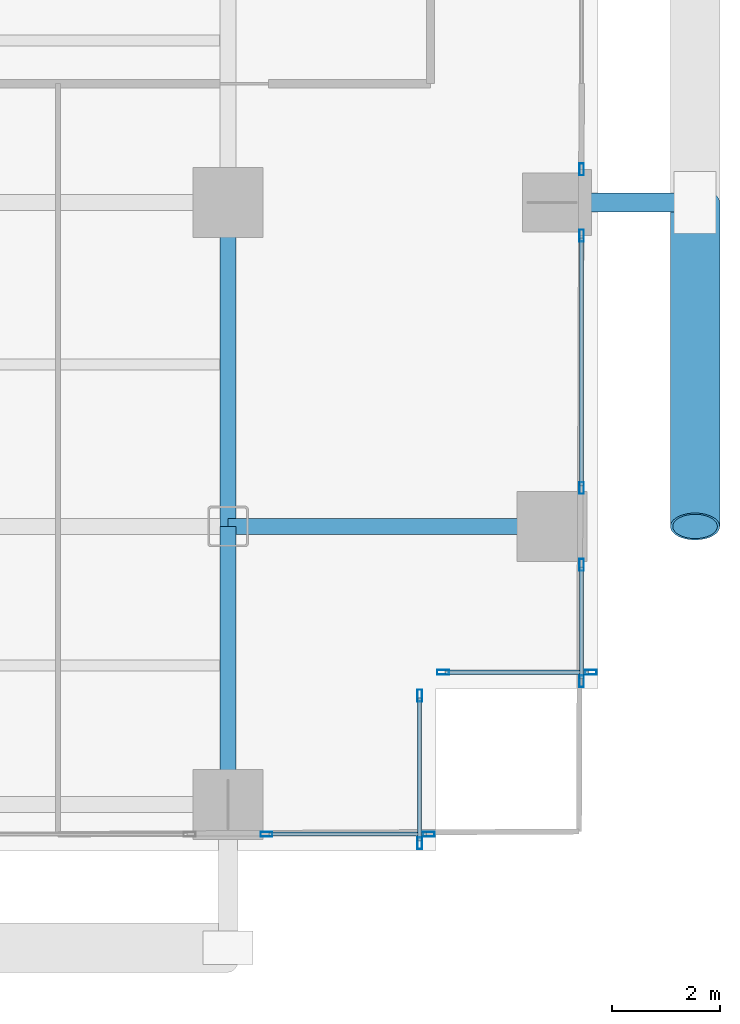
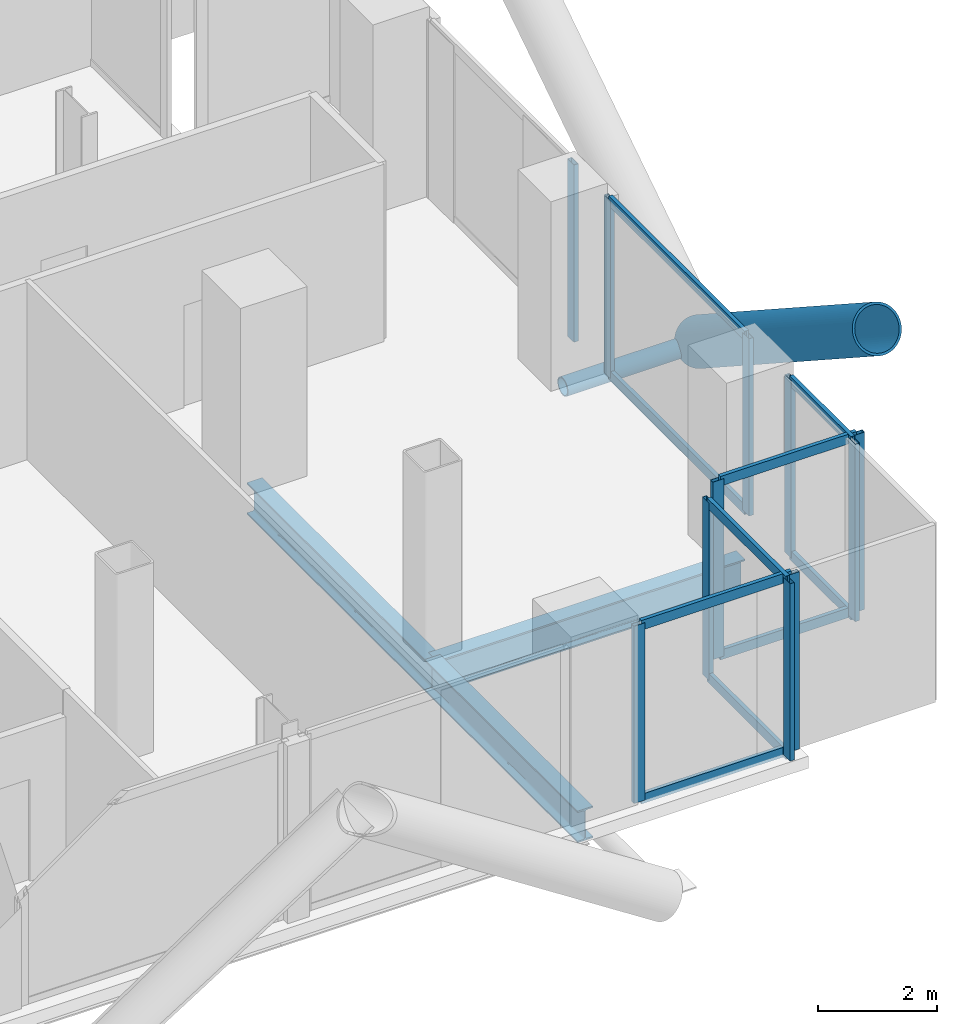
# One storey, part 10 of 25: 23 members, 3 beams, 6 elements without a shape of their own.
"""IFC4 building model written with IfcOpenShell, lengths in metres."""

from ifc_helpers import new_model, si_unit, direction, frame, origin, origin_2d, place, context, subcontext, project, spatial, hollow_rectangle, hollow_circle, i_section, extrude, material, layer, layer_set, material_profile, profile_set, type_object, element, aggregate, save


model = new_model("IFC4")

# Units and contexts
model_context = context("Model", 3, precision=1e-05, world=origin(), true_north=direction((0.0, 1.0)))
body_context = subcontext(model_context, "Body", "Model", "MODEL_VIEW")
ifc_project = project(units=[si_unit("LENGTHUNIT", "METRE"), si_unit("AREAUNIT", "SQUARE_METRE"), si_unit("VOLUMEUNIT", "CUBIC_METRE"), si_unit("PLANEANGLEUNIT", "RADIAN"), si_unit("MASSUNIT", "GRAM", prefix="KILO"), si_unit("THERMODYNAMICTEMPERATUREUNIT", "KELVIN"), si_unit("POWERUNIT", "WATT")], contexts=[model_context])

# Site, building, storey
site_placement = place(None, origin())
site = spatial("IfcSite", under=ifc_project, at=site_placement, CompositionType="ELEMENT")
building_placement = place(site_placement, origin())
building = spatial("IfcBuilding", under=site, at=building_placement, Name="Svarakhadi Broadcast Tower", CompositionType="ELEMENT")
storey_placement = place(building_placement, frame((0.0, 0.0, 36.300048828125)))
storey = spatial("IfcBuildingStorey", under=building, at=storey_placement, Name="L07", CompositionType="ELEMENT", Elevation=36.300048828125)

# Curtain wall, member
ifc_material_1 = material(Name="Anodised Bronze Aluminium AA 6063-T6", Category="aluminium")
ifc_layer = layer(ifc_material_1, 0.219970703125)
ifc_layer_set = layer_set([ifc_layer], Name="Anodised Bronze Aluminium AA 6063-T6")
curtain_wall_type = type_object("IfcCurtainWallType", Name="CW_Sys_02", PredefinedType="NOTDEFINED", material=ifc_layer_set)
curtain_wall_1_placement = place(storey_placement, origin())
curtain_wall_1 = element("IfcCurtainWall", 1, at=curtain_wall_1_placement, inside=storey, type_object=curtain_wall_type, Name="L07 Unitised Facade Curtain Wall 13 Bay 2", PredefinedType="NOTDEFINED")
ifc_material_profile_1 = material_profile(ifc_material_1, hollow_rectangle(XDim=0.0849609375, YDim=0.219970703125, WallThickness=0.006103515625, at=origin_2d()), Name="ALU MULLION 220x85x6")
ifc_profile_set_1 = profile_set([ifc_material_profile_1], Name="Anodised Bronze Aluminium AA 6063-T6")
member_type_1 = type_object("IfcMemberType", Name="CW_Sys_02_Mul", PredefinedType="MULLION", material=ifc_profile_set_1)
member_1_placement = place(storey_placement, frame((53.699951171875, 12.612548828125, 0.0), z_axis=(0.0, 0.0, 1.0), x_axis=(1.0, 0.0, 0.0)))
member_1 = element("IfcMember", 2, at=member_1_placement, type_object=member_type_1, Name="CW-02 mullion 2", PredefinedType="MULLION", context=body_context, shape_type="SweptSolid", body=[
    extrude(hollow_rectangle(XDim=0.0849609375, YDim=0.219970703125, WallThickness=0.006103515625, at=origin_2d()), origin(), (0.0, 0.0, 1.0), 3.64990234375),
])
aggregate(curtain_wall_1, [member_1])

# Curtain wall, members
curtain_wall_2_placement = place(storey_placement, origin())
curtain_wall_2 = element("IfcCurtainWall", 3, at=curtain_wall_2_placement, inside=storey, type_object=curtain_wall_type, Name="L07 Unitised Facade Curtain Wall 13 Bay 3", PredefinedType="NOTDEFINED")
member_2_placement = place(storey_placement, frame((53.699951171875, 11.387451171875, 0.0), z_axis=(0.0, 0.0, 1.0), x_axis=(1.0, 0.0, 0.0)))
member_2 = element("IfcMember", 4, at=member_2_placement, type_object=member_type_1, Name="CW-02 mullion 1", PredefinedType="MULLION", context=body_context, shape_type="SweptSolid", body=[
    extrude(hollow_rectangle(XDim=0.0849609375, YDim=0.219970703125, WallThickness=0.006103515625, at=origin_2d()), origin(), (0.0, 0.0, 1.0), 3.64990234375),
])
member_3_placement = place(storey_placement, frame((53.699951171875, 6.71240234375, 0.0), z_axis=(0.0, 0.0, 1.0), x_axis=(1.0, 0.0, 0.0)))
member_3 = element("IfcMember", 5, at=member_3_placement, type_object=member_type_1, Name="CW-02 mullion 2", PredefinedType="MULLION", context=body_context, shape_type="SweptSolid", body=[
    extrude(hollow_rectangle(XDim=0.0849609375, YDim=0.219970703125, WallThickness=0.006103515625, at=origin_2d()), origin(), (0.0, 0.0, 1.0), 3.64990234375),
])

curtain_wall_3_placement = place(storey_placement, origin())
curtain_wall_3 = element("IfcCurtainWall", 6, at=curtain_wall_3_placement, inside=storey, type_object=curtain_wall_type, Name="L07 Unitised Facade Curtain Wall 13 Bay 4", PredefinedType="NOTDEFINED")
member_4_placement = place(storey_placement, frame((53.699951171875, 5.28759765625, 0.0), z_axis=(0.0, 0.0, 1.0), x_axis=(1.0, 0.0, 0.0)))
member_4 = element("IfcMember", 7, at=member_4_placement, type_object=member_type_1, Name="CW-02 mullion 1", PredefinedType="MULLION", context=body_context, shape_type="SweptSolid", body=[
    extrude(hollow_rectangle(XDim=0.0849609375, YDim=0.219970703125, WallThickness=0.006103515625, at=origin_2d()), origin(), (0.0, 0.0, 1.0), 3.64990234375),
])
member_5_placement = place(storey_placement, frame((53.699951171875, 3.132568359375, 0.0), z_axis=(0.0, 0.0, 1.0), x_axis=(1.0, 0.0, 0.0)))
member_5 = element("IfcMember", 8, at=member_5_placement, type_object=member_type_1, Name="CW-02 mullion 2", PredefinedType="MULLION", context=body_context, shape_type="SweptSolid", body=[
    extrude(hollow_rectangle(XDim=0.0849609375, YDim=0.219970703125, WallThickness=0.006103515625, at=origin_2d()), origin(), (0.0, 0.0, 1.0), 3.64990234375),
])

curtain_wall_4_placement = place(storey_placement, origin())
curtain_wall_4 = element("IfcCurtainWall", 9, at=curtain_wall_4_placement, inside=storey, type_object=curtain_wall_type, Name="L07 Unitised Facade Curtain Wall 14", PredefinedType="NOTDEFINED")
member_6_placement = place(storey_placement, frame((53.867431640625, 3.300048828125, 0.0), z_axis=(0.0, 0.0, 1.0), x_axis=(0.0, -1.0, 0.0)))
member_6 = element("IfcMember", 10, at=member_6_placement, type_object=member_type_1, Name="CW-02 mullion 1", PredefinedType="MULLION", context=body_context, shape_type="SweptSolid", body=[
    extrude(hollow_rectangle(XDim=0.0849609375, YDim=0.219970703125, WallThickness=0.006103515625, at=origin_2d()), origin(), (0.0, 0.0, 1.0), 3.64990234375),
])
member_7_placement = place(storey_placement, frame((51.132568359375, 3.300048828125, 0.0), z_axis=(0.0, 0.0, 1.0), x_axis=(0.0, -1.0, 0.0)))
member_7 = element("IfcMember", 11, at=member_7_placement, type_object=member_type_1, Name="CW-02 mullion 2", PredefinedType="MULLION", context=body_context, shape_type="SweptSolid", body=[
    extrude(hollow_rectangle(XDim=0.0849609375, YDim=0.219970703125, WallThickness=0.006103515625, at=origin_2d()), origin(), (0.0, 0.0, 1.0), 3.64990234375),
])

curtain_wall_5_placement = place(storey_placement, origin())
curtain_wall_5 = element("IfcCurtainWall", 12, at=curtain_wall_5_placement, inside=storey, type_object=curtain_wall_type, Name="L07 Unitised Facade Curtain Wall 15", PredefinedType="NOTDEFINED")
member_8_placement = place(storey_placement, frame((50.699951171875, 2.867431640625, 0.0), z_axis=(0.0, 0.0, 1.0), x_axis=(1.0, 0.0, 0.0)))
member_8 = element("IfcMember", 13, at=member_8_placement, type_object=member_type_1, Name="CW-02 mullion 1", PredefinedType="MULLION", context=body_context, shape_type="SweptSolid", body=[
    extrude(hollow_rectangle(XDim=0.0849609375, YDim=0.219970703125, WallThickness=0.006103515625, at=origin_2d()), origin(), (0.0, 0.0, 1.0), 3.64990234375),
])
member_9_placement = place(storey_placement, frame((50.699951171875, 0.132568359375, 0.0), z_axis=(0.0, 0.0, 1.0), x_axis=(1.0, 0.0, 0.0)))
member_9 = element("IfcMember", 14, at=member_9_placement, type_object=member_type_1, Name="CW-02 mullion 2", PredefinedType="MULLION", context=body_context, shape_type="SweptSolid", body=[
    extrude(hollow_rectangle(XDim=0.0849609375, YDim=0.219970703125, WallThickness=0.006103515625, at=origin_2d()), origin(), (0.0, 0.0, 1.0), 3.64990234375),
])

curtain_wall_6_placement = place(storey_placement, origin())
curtain_wall_6 = element("IfcCurtainWall", 15, at=curtain_wall_6_placement, inside=storey, type_object=curtain_wall_type, Name="L07 South Curtain Wall 16 Bay 1", PredefinedType="NOTDEFINED")
member_10_placement = place(storey_placement, frame((50.867431640625, 0.300048828125, 0.0), z_axis=(0.0, 0.0, 1.0), x_axis=(0.0, -1.0, 0.0)))
member_10 = element("IfcMember", 16, at=member_10_placement, type_object=member_type_1, Name="CW-02 mullion 1", PredefinedType="MULLION", context=body_context, shape_type="SweptSolid", body=[
    extrude(hollow_rectangle(XDim=0.0849609375, YDim=0.219970703125, WallThickness=0.006103515625, at=origin_2d()), origin(), (0.0, 0.0, 1.0), 3.64990234375),
])
member_11_placement = place(storey_placement, frame((47.862548828125, 0.300048828125, 0.0), z_axis=(0.0, 0.0, 1.0), x_axis=(0.0, -1.0, 0.0)))
member_11 = element("IfcMember", 17, at=member_11_placement, type_object=member_type_1, Name="CW-02 mullion 2", PredefinedType="MULLION", context=body_context, shape_type="SweptSolid", body=[
    extrude(hollow_rectangle(XDim=0.0849609375, YDim=0.219970703125, WallThickness=0.006103515625, at=origin_2d()), origin(), (0.0, 0.0, 1.0), 3.64990234375),
])

# Member
ifc_material_profile_2 = material_profile(ifc_material_1, hollow_rectangle(XDim=0.074951171875, YDim=0.199951171875, WallThickness=0.0048828125, at=origin_2d()), Name="ALU TRANSOM 200x75x5")
ifc_profile_set_2 = profile_set([ifc_material_profile_2], Name="Anodised Bronze Aluminium AA 6063-T6")
member_type_2 = type_object("IfcMemberType", Name="CW_Sys_02_Trn", PredefinedType="USERDEFINED", material=ifc_profile_set_2)
member_12_placement = place(storey_placement, frame((53.699951171875, 11.344970703125, 0.037353515625), z_axis=(0.0, -1.0, 0.0), x_axis=(1.0, 0.0, 0.0)))
member_12 = element("IfcMember", 18, at=member_12_placement, type_object=member_type_2, Name="CW-02 transom 1.1", ObjectType="TRANSOM", PredefinedType="USERDEFINED", context=body_context, shape_type="SweptSolid", body=[
    extrude(hollow_rectangle(XDim=0.074951171875, YDim=0.199951171875, WallThickness=0.0048828125, at=origin_2d()), origin(), (0.0, 0.0, 1.0), 4.590087890625),
])

member_13_placement = place(storey_placement, frame((53.699951171875, 11.344970703125, 3.612548828125), z_axis=(0.0, -1.0, 0.0), x_axis=(1.0, 0.0, 0.0)))
member_13 = element("IfcMember", 19, at=member_13_placement, type_object=member_type_2, Name="CW-02 transom 1.2", ObjectType="TRANSOM", PredefinedType="USERDEFINED", context=body_context, shape_type="SweptSolid", body=[
    extrude(hollow_rectangle(XDim=0.074951171875, YDim=0.199951171875, WallThickness=0.0048828125, at=origin_2d()), origin(), (0.0, 0.0, 1.0), 4.590087890625),
])

aggregate(curtain_wall_2, [member_2, member_3, member_12, member_13])

member_14_placement = place(storey_placement, frame((53.699951171875, 5.2451171875, 0.037353515625), z_axis=(0.0, -1.0, 0.0), x_axis=(1.0, 0.0, 0.0)))
member_14 = element("IfcMember", 20, at=member_14_placement, type_object=member_type_2, Name="CW-02 transom 1.1", ObjectType="TRANSOM", PredefinedType="USERDEFINED", context=body_context, shape_type="SweptSolid", body=[
    extrude(hollow_rectangle(XDim=0.074951171875, YDim=0.199951171875, WallThickness=0.0048828125, at=origin_2d()), origin(), (0.0, 0.0, 1.0), 2.070068359375),
])

member_15_placement = place(storey_placement, frame((53.699951171875, 5.2451171875, 3.612548828125), z_axis=(0.0, -1.0, 0.0), x_axis=(1.0, 0.0, 0.0)))
member_15 = element("IfcMember", 21, at=member_15_placement, type_object=member_type_2, Name="CW-02 transom 1.2", ObjectType="TRANSOM", PredefinedType="USERDEFINED", context=body_context, shape_type="SweptSolid", body=[
    extrude(hollow_rectangle(XDim=0.074951171875, YDim=0.199951171875, WallThickness=0.0048828125, at=origin_2d()), origin(), (0.0, 0.0, 1.0), 2.070068359375),
])

aggregate(curtain_wall_3, [member_4, member_5, member_14, member_15])

member_16_placement = place(storey_placement, frame((53.824951171875, 3.300048828125, 0.037353515625), z_axis=(-1.0, 0.0, 0.0), x_axis=(0.0, -1.0, 0.0)))
member_16 = element("IfcMember", 22, at=member_16_placement, type_object=member_type_2, Name="CW-02 transom 1.1", ObjectType="TRANSOM", PredefinedType="USERDEFINED", context=body_context, shape_type="SweptSolid", body=[
    extrude(hollow_rectangle(XDim=0.074951171875, YDim=0.199951171875, WallThickness=0.0048828125, at=origin_2d()), origin(), (0.0, 0.0, 1.0), 2.64990234375),
])

member_17_placement = place(storey_placement, frame((53.824951171875, 3.300048828125, 3.612548828125), z_axis=(-1.0, 0.0, 0.0), x_axis=(0.0, -1.0, 0.0)))
member_17 = element("IfcMember", 23, at=member_17_placement, type_object=member_type_2, Name="CW-02 transom 1.2", ObjectType="TRANSOM", PredefinedType="USERDEFINED", context=body_context, shape_type="SweptSolid", body=[
    extrude(hollow_rectangle(XDim=0.074951171875, YDim=0.199951171875, WallThickness=0.0048828125, at=origin_2d()), origin(), (0.0, 0.0, 1.0), 2.64990234375),
])

aggregate(curtain_wall_4, [member_6, member_7, member_16, member_17])

member_18_placement = place(storey_placement, frame((50.699951171875, 2.824951171875, 0.037353515625), z_axis=(0.0, -1.0, 0.0), x_axis=(1.0, 0.0, 0.0)))
member_18 = element("IfcMember", 24, at=member_18_placement, type_object=member_type_2, Name="CW-02 transom 1.1", ObjectType="TRANSOM", PredefinedType="USERDEFINED", context=body_context, shape_type="SweptSolid", body=[
    extrude(hollow_rectangle(XDim=0.074951171875, YDim=0.199951171875, WallThickness=0.0048828125, at=origin_2d()), origin(), (0.0, 0.0, 1.0), 2.64990234375),
])

member_19_placement = place(storey_placement, frame((50.699951171875, 2.824951171875, 3.612548828125), z_axis=(0.0, -1.0, 0.0), x_axis=(1.0, 0.0, 0.0)))
member_19 = element("IfcMember", 25, at=member_19_placement, type_object=member_type_2, Name="CW-02 transom 1.2", ObjectType="TRANSOM", PredefinedType="USERDEFINED", context=body_context, shape_type="SweptSolid", body=[
    extrude(hollow_rectangle(XDim=0.074951171875, YDim=0.199951171875, WallThickness=0.0048828125, at=origin_2d()), origin(), (0.0, 0.0, 1.0), 2.64990234375),
])

aggregate(curtain_wall_5, [member_8, member_9, member_18, member_19])

member_20_placement = place(storey_placement, frame((50.824951171875, 0.300048828125, 0.037353515625), z_axis=(-1.0, 0.0, 0.0), x_axis=(0.0, -1.0, 0.0)))
member_20 = element("IfcMember", 26, at=member_20_placement, type_object=member_type_2, Name="CW-02 transom 1.1", ObjectType="TRANSOM", PredefinedType="USERDEFINED", context=body_context, shape_type="SweptSolid", body=[
    extrude(hollow_rectangle(XDim=0.074951171875, YDim=0.199951171875, WallThickness=0.0048828125, at=origin_2d()), origin(), (0.0, 0.0, 1.0), 2.919921875),
])

member_21_placement = place(storey_placement, frame((50.824951171875, 0.300048828125, 3.612548828125), z_axis=(-1.0, 0.0, 0.0), x_axis=(0.0, -1.0, 0.0)))
member_21 = element("IfcMember", 27, at=member_21_placement, type_object=member_type_2, Name="CW-02 transom 1.2", ObjectType="TRANSOM", PredefinedType="USERDEFINED", context=body_context, shape_type="SweptSolid", body=[
    extrude(hollow_rectangle(XDim=0.074951171875, YDim=0.199951171875, WallThickness=0.0048828125, at=origin_2d()), origin(), (0.0, 0.0, 1.0), 2.919921875),
])

aggregate(curtain_wall_6, [member_10, member_11, member_20, member_21])

# Members
ifc_material_2 = material(Name="Steel S460ML (IS 2062 E450BR)", Category="steel")
ifc_material_profile_3 = material_profile(ifc_material_2, hollow_circle(Radius=0.45703125, WallThickness=0.044921875, at=origin_2d()), Name="CHS 914x45")
ifc_profile_set_3 = profile_set([ifc_material_profile_3], Name="Steel S460ML (IS 2062 E450BR)")
member_type_3 = type_object("IfcMemberType", Name="Exo_Brace_CHS914", PredefinedType="BRACE", material=ifc_profile_set_3)
member_22_placement = place(storey_placement, frame((55.800048828125, 12.0, -0.427734375), z_axis=(0.0, -0.838449851971, 0.544978757136), x_axis=(1.0, 0.0, 0.0)))
element("IfcMember", 28, at=member_22_placement, inside=storey, type_object=member_type_3, Name="L07 Exposed Bronze Exoskeleton Diagonal E08", PredefinedType="BRACE", context=body_context, shape_type="SweptSolid", body=[
    extrude(hollow_circle(Radius=0.45703125, WallThickness=0.044921875, at=origin_2d()), origin(), (0.0, 0.0, 1.0), 7.156005859375),
])
ifc_material_profile_4 = material_profile(ifc_material_2, hollow_circle(Radius=0.177734375, WallThickness=0.02001953125, at=origin_2d()), Name="CHS 355.6x20")
ifc_profile_set_4 = profile_set([ifc_material_profile_4], Name="Steel S460ML (IS 2062 E450BR)")
member_type_4 = type_object("IfcMemberType", Name="Exo_Radial_Strut_Z1", PredefinedType="STRUT", material=ifc_profile_set_4)
member_23_placement = place(storey_placement, frame((55.800048828125, 12.0, -0.427734375), z_axis=(-1.0, 0.0, 0.0), x_axis=(0.0, -1.0, 0.0)))
element("IfcMember", 29, at=member_23_placement, inside=storey, type_object=member_type_4, Name="L07 Exoskeleton Radial Tie Strut E06", PredefinedType="STRUT", context=body_context, shape_type="SweptSolid", body=[
    extrude(hollow_circle(Radius=0.177734375, WallThickness=0.02001953125, at=origin_2d()), origin(), (0.0, 0.0, 1.0), 2.650146484375),
])

# Beams
ifc_material_3 = material(Name="Steel S355J2 (IS 2062 E350C)", Category="steel")
ifc_material_profile_5 = material_profile(ifc_material_3, i_section(OverallWidth=0.300048828125, OverallDepth=0.64990234375, WebThickness=0.01611328125, FlangeThickness=0.031005859375, FilletRadius=0.027099609375, at=origin_2d()), Name="WPB 650x300x225")
ifc_profile_set_5 = profile_set([ifc_material_profile_5], Name="Steel S355J2 (IS 2062 E350C)")
beam_type = type_object("IfcBeamType", Name="Girder_WPB650", PredefinedType="USERDEFINED", material=ifc_profile_set_5)
beam_1_placement = place(storey_placement, frame((47.14990234375, 6.0, -0.574951171875), z_axis=(1.0, 0.0, 0.0), x_axis=(0.0, 1.0, 0.0)))
element("IfcBeam", 30, at=beam_1_placement, inside=storey, type_object=beam_type, Name="L07 Primary E-W Girder G018", ObjectType="GIRDER", PredefinedType="USERDEFINED", context=body_context, shape_type="SweptSolid", body=[
    extrude(i_section(OverallWidth=0.300048828125, OverallDepth=0.64990234375, WebThickness=0.01611328125, FlangeThickness=0.031005859375, FilletRadius=0.027099609375, at=origin_2d()), origin(), (0.0, 0.0, 1.0), 6.0),
])
beam_2_placement = place(storey_placement, frame((47.14990234375, 0.85009765625, -0.574951171875), z_axis=(0.0, 1.0, 0.0), x_axis=(-1.0, 0.0, 0.0)))
element("IfcBeam", 31, at=beam_2_placement, inside=storey, type_object=beam_type, Name="L07 Primary N-S Girder G082", ObjectType="GIRDER", PredefinedType="USERDEFINED", context=body_context, shape_type="SweptSolid", body=[
    extrude(i_section(OverallWidth=0.300048828125, OverallDepth=0.64990234375, WebThickness=0.01611328125, FlangeThickness=0.031005859375, FilletRadius=0.027099609375, at=origin_2d()), origin(), (0.0, 0.0, 1.0), 5.14990234375),
])
beam_3_placement = place(storey_placement, frame((47.14990234375, 6.0, -0.574951171875), z_axis=(0.0, 1.0, 0.0), x_axis=(-1.0, 0.0, 0.0)))
element("IfcBeam", 32, at=beam_3_placement, inside=storey, type_object=beam_type, Name="L07 Primary N-S Girder G083", ObjectType="GIRDER", PredefinedType="USERDEFINED", context=body_context, shape_type="SweptSolid", body=[
    extrude(i_section(OverallWidth=0.300048828125, OverallDepth=0.64990234375, WebThickness=0.01611328125, FlangeThickness=0.031005859375, FilletRadius=0.027099609375, at=origin_2d()), origin(), (0.0, 0.0, 1.0), 6.0),
])

save(model, "model.ifc")
